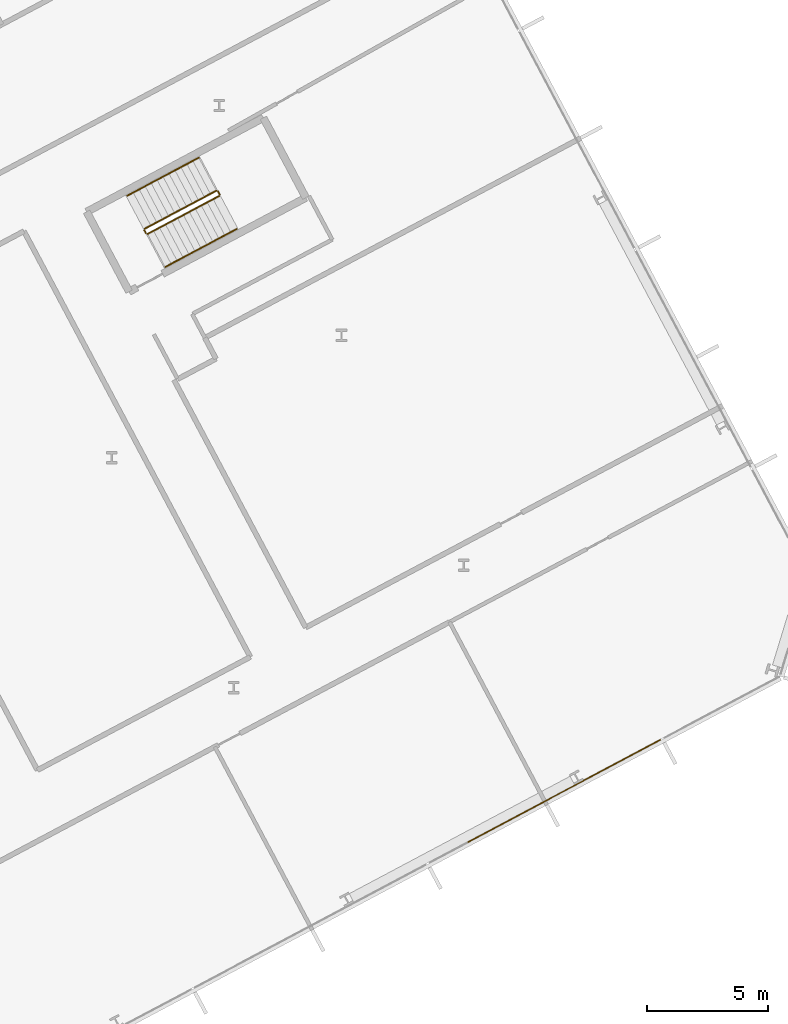
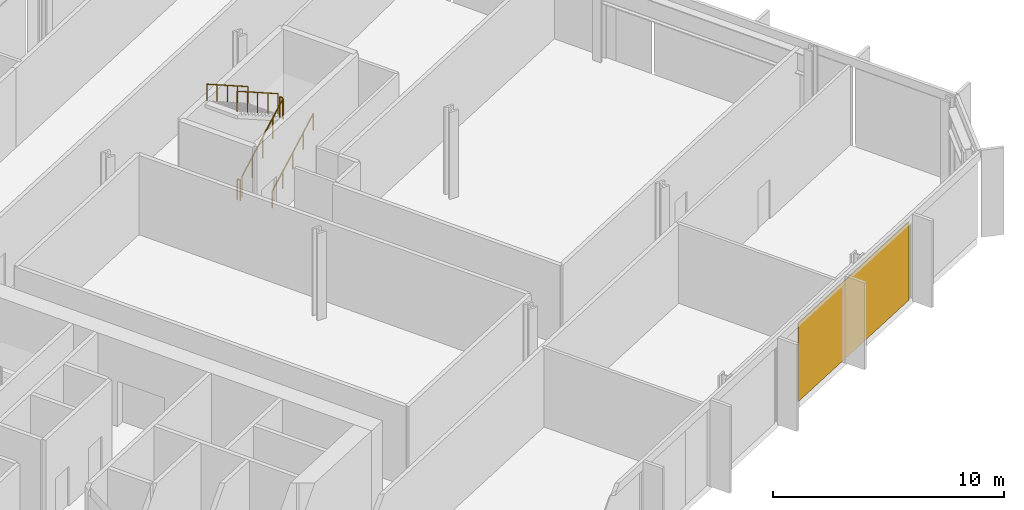
# One storey, part 30 of 31: 6 railings, 1 covering, 1 element without a shape of its own.
"""IFC4 building model written with IfcOpenShell, lengths in metres."""

from ifc_helpers import new_model, si_unit, direction, frame, origin, origin_2d, place, context, subcontext, project, spatial, polyline, rectangle, outline, extrude, material, layer, layer_set, type_object, element, aggregate, save


model = new_model("IFC4")

# Units and contexts
model_context = context("Model", 3, precision=1e-05, world=origin(), true_north=direction((0.0, 1.0)))
body_context = subcontext(model_context, "Body", "Model", "MODEL_VIEW")
ifc_project = project(units=[si_unit("LENGTHUNIT", "METRE"), si_unit("AREAUNIT", "SQUARE_METRE"), si_unit("VOLUMEUNIT", "CUBIC_METRE"), si_unit("PLANEANGLEUNIT", "RADIAN"), si_unit("MASSUNIT", "GRAM", prefix="KILO")], contexts=[model_context])

# Site, building, storey
site_placement = place(None, origin())
site = spatial("IfcSite", under=ifc_project, at=site_placement, CompositionType="ELEMENT")
building_placement = place(site_placement, origin())
building = spatial("IfcBuilding", under=site, at=building_placement, Name="Cormorant Relay Tower", CompositionType="ELEMENT")
storey_placement = place(building_placement, frame((0.0, 0.0, 93.800048828125)))
storey = spatial("IfcBuildingStorey", under=building, at=storey_placement, Name="L18", CompositionType="ELEMENT", Elevation=93.800048828125)

# Curtain wall, covering
ifc_material_1 = material(Name="Aluminium 6063-T6 anodised bronze", Category="aluminium")
ifc_layer_1 = layer(ifc_material_1, 0.199951171875)
ifc_layer_set_1 = layer_set([ifc_layer_1], Name="CW1 unitised bronze curtain wall with vertical fins")
curtain_wall_type = type_object("IfcCurtainWallType", Name="CW1 unitised bronze curtain wall with vertical fins", PredefinedType="NOTDEFINED", material=ifc_layer_set_1)
curtain_wall_placement = place(storey_placement, origin())
curtain_wall = element("IfcCurtainWall", 1, at=curtain_wall_placement, inside=storey, type_object=curtain_wall_type, Name="CW1 curtain wall 2", PredefinedType="NOTDEFINED")
ifc_material_2 = material(Name="Pale bronze anodised aluminium insulated panel", Category="aluminium")
ifc_layer_2 = layer(ifc_material_2, 0.0400390625)
ifc_layer_set_2 = layer_set([ifc_layer_2], Name="CW1 pale bronze insulated panel 40")
covering_type = type_object("IfcCoveringType", Name="CW1 pale bronze insulated panel 40", PredefinedType="CLADDING", material=ifc_layer_set_2)
covering_placement = place(storey_placement, frame((61.85302734375, 9.081298828125, 0.0), z_axis=(0.0, 0.0, 1.0), x_axis=(0.882947592859, 0.469471562786, 0.0)))
covering = element("IfcCovering", 2, at=covering_placement, type_object=covering_type, Name="CW1 panel S13", PredefinedType="CLADDING", context=body_context, shape_type="SweptSolid", body=[
    extrude(rectangle(XDim=9.07373046875, YDim=0.0400390625, at=origin_2d()), origin(), (0.0, 0.0, 1.0), 4.14990234375),
])
aggregate(curtain_wall, [covering])

# Railings
ifc_material_3 = material(Name="Steel ASTM A572 Grade 50 (Fy 345 MPa)", Category="steel")
railing_type_1 = type_object("IfcRailingType", Name="Stair guard 1100", PredefinedType="GUARDRAIL", material=ifc_material_3)
railing_1_placement = place(storey_placement, frame((44.583740234375, 32.186279296875, 0.1767578125)))
element("IfcRailing", 3, at=railing_1_placement, inside=storey, type_object=railing_type_1, Name="L18 RB1 stair guard 1", PredefinedType="GUARDRAIL", context=body_context, shape_type="SweptSolid", body=[
    extrude(outline(polyline([(0.022216796875, 0.00927734375), (0.00927734375, 0.022216796875), (-0.00927734375, 0.022216796875), (-0.022216796875, 0.00927734375), (-0.022216796875, -0.00927734375), (-0.00927734375, -0.022216796875), (0.00927734375, -0.022216796875), (0.022216796875, -0.00927734375), (0.022216796875, 0.00927734375)])), frame((0.0, 0.0, 1.076171875), z_axis=(0.74639798139, 0.396907814001, 0.534185586253), x_axis=(-0.469509342547, 0.882927503967, 0.0)), (0.0, 0.0, 1.0), 3.974853515625),
    extrude(outline(polyline([(0.019287109375, 0.008056640625), (0.008056640625, 0.019287109375), (-0.008056640625, 0.019287109375), (-0.019287109375, 0.008056640625), (-0.019287109375, -0.008056640625), (-0.008056640625, -0.019287109375), (0.008056640625, -0.019287109375), (0.019287109375, -0.008056640625), (0.019287109375, 0.008056640625)])), origin(), (0.0, 0.0, 1.0), 1.052001953125),
    extrude(outline(polyline([(0.019287109375, 0.008056640625), (0.008056640625, 0.019287109375), (-0.008056640625, 0.019287109375), (-0.019287109375, 0.008056640625), (-0.019287109375, -0.008056640625), (-0.008056640625, -0.019287109375), (0.008056640625, -0.019287109375), (0.019287109375, -0.008056640625), (0.019287109375, 0.008056640625)])), frame((0.74169921875, 0.39453125, 0.53076171875)), (0.0, 0.0, 1.0), 1.052001953125),
    extrude(outline(polyline([(0.019287109375, 0.008056640625), (0.008056640625, 0.019287109375), (-0.008056640625, 0.019287109375), (-0.019287109375, 0.008056640625), (-0.019287109375, -0.008056640625), (-0.008056640625, -0.019287109375), (0.008056640625, -0.019287109375), (0.019287109375, -0.008056640625), (0.019287109375, 0.008056640625)])), frame((1.4833984375, 0.788818359375, 1.0615234375)), (0.0, 0.0, 1.0), 1.052001953125),
    extrude(outline(polyline([(0.019287109375, 0.008056640625), (0.008056640625, 0.019287109375), (-0.008056640625, 0.019287109375), (-0.019287109375, 0.008056640625), (-0.019287109375, -0.008056640625), (-0.008056640625, -0.019287109375), (0.008056640625, -0.019287109375), (0.019287109375, -0.008056640625), (0.019287109375, 0.008056640625)])), frame((2.22509765625, 1.18310546875, 1.592529296875)), (0.0, 0.0, 1.0), 1.052001953125),
    extrude(outline(polyline([(0.019287109375, 0.008056640625), (0.008056640625, 0.019287109375), (-0.008056640625, 0.019287109375), (-0.019287109375, 0.008056640625), (-0.019287109375, -0.008056640625), (-0.008056640625, -0.019287109375), (0.008056640625, -0.019287109375), (0.019287109375, -0.008056640625), (0.019287109375, 0.008056640625)])), frame((2.966796875, 1.57763671875, 2.123291015625)), (0.0, 0.0, 1.0), 1.052001953125),
])
railing_2_placement = place(storey_placement, frame((47.571044921875, 33.831298828125, 2.300048828125)))
element("IfcRailing", 4, at=railing_2_placement, inside=storey, type_object=railing_type_1, Name="L18 RB1 stair guard 2", PredefinedType="GUARDRAIL", context=body_context, shape_type="SweptSolid", body=[
    extrude(outline(polyline([(0.022216796875, 0.00927734375), (0.00927734375, 0.022216796875), (-0.00927734375, 0.022216796875), (-0.022216796875, 0.00927734375), (-0.022216796875, -0.00927734375), (-0.00927734375, -0.022216796875), (0.00927734375, -0.022216796875), (0.022216796875, -0.00927734375), (0.022216796875, 0.00927734375)])), frame((0.0, 0.0, 1.076171875), z_axis=(-0.46856034887, 0.8834314911, 0.0), x_axis=(-0.8834314911, -0.46856034887, 0.0)), (0.0, 0.0, 1.0), 0.150146484375),
    extrude(outline(polyline([(0.019287109375, 0.008056640625), (0.008056640625, 0.019287109375), (-0.008056640625, 0.019287109375), (-0.019287109375, 0.008056640625), (-0.019287109375, -0.008056640625), (-0.008056640625, -0.019287109375), (0.008056640625, -0.019287109375), (0.019287109375, -0.008056640625), (0.019287109375, 0.008056640625)])), origin(), (0.0, 0.0, 1.0), 1.052001953125),
    extrude(outline(polyline([(0.019287109375, 0.008056640625), (0.008056640625, 0.019287109375), (-0.008056640625, 0.019287109375), (-0.019287109375, 0.008056640625), (-0.019287109375, -0.008056640625), (-0.008056640625, -0.019287109375), (0.008056640625, -0.019287109375), (0.019287109375, -0.008056640625), (0.019287109375, 0.008056640625)])), frame((-0.0703125, 0.132568359375, 0.0)), (0.0, 0.0, 1.0), 1.052001953125),
])
railing_3_placement = place(storey_placement, frame((47.43310546875, 33.984619140625, 2.476806640625)))
element("IfcRailing", 5, at=railing_3_placement, inside=storey, type_object=railing_type_1, Name="L18 RB1 stair guard 3", PredefinedType="GUARDRAIL", context=body_context, shape_type="SweptSolid", body=[
    extrude(outline(polyline([(0.022216796875, 0.00927734375), (0.00927734375, 0.022216796875), (-0.00927734375, 0.022216796875), (-0.022216796875, 0.00927734375), (-0.022216796875, -0.00927734375), (-0.00927734375, -0.022216796875), (0.00927734375, -0.022216796875), (0.022216796875, -0.00927734375), (0.022216796875, 0.00927734375)])), frame((0.0, 0.0, 1.076171875), z_axis=(-0.746440668329, -0.396869088057, 0.534154711306), x_axis=(0.46945269911, -0.882957622595, 0.0)), (0.0, 0.0, 1.0), 3.974609375),
    extrude(outline(polyline([(0.019287109375, 0.008056640625), (0.008056640625, 0.019287109375), (-0.008056640625, 0.019287109375), (-0.019287109375, 0.008056640625), (-0.019287109375, -0.008056640625), (-0.008056640625, -0.019287109375), (0.008056640625, -0.019287109375), (0.019287109375, -0.008056640625), (0.019287109375, 0.008056640625)])), origin(), (0.0, 0.0, 1.0), 1.052001953125),
    extrude(outline(polyline([(0.019287109375, 0.008056640625), (0.008056640625, 0.019287109375), (-0.008056640625, 0.019287109375), (-0.019287109375, 0.008056640625), (-0.019287109375, -0.008056640625), (-0.008056640625, -0.019287109375), (0.008056640625, -0.019287109375), (0.019287109375, -0.008056640625), (0.019287109375, 0.008056640625)])), frame((-0.74169921875, -0.394287109375, 0.53076171875)), (0.0, 0.0, 1.0), 1.052001953125),
    extrude(outline(polyline([(0.019287109375, 0.008056640625), (0.008056640625, 0.019287109375), (-0.008056640625, 0.019287109375), (-0.019287109375, 0.008056640625), (-0.019287109375, -0.008056640625), (-0.008056640625, -0.019287109375), (0.008056640625, -0.019287109375), (0.019287109375, -0.008056640625), (0.019287109375, 0.008056640625)])), frame((-1.4833984375, -0.78857421875, 1.0615234375)), (0.0, 0.0, 1.0), 1.052001953125),
    extrude(outline(polyline([(0.019287109375, 0.008056640625), (0.008056640625, 0.019287109375), (-0.008056640625, 0.019287109375), (-0.019287109375, 0.008056640625), (-0.019287109375, -0.008056640625), (-0.008056640625, -0.019287109375), (0.008056640625, -0.019287109375), (0.019287109375, -0.008056640625), (0.019287109375, 0.008056640625)])), frame((-2.22509765625, -1.18310546875, 1.59228515625)), (0.0, 0.0, 1.0), 1.052001953125),
    extrude(outline(polyline([(0.019287109375, 0.008056640625), (0.008056640625, 0.019287109375), (-0.008056640625, 0.019287109375), (-0.019287109375, 0.008056640625), (-0.019287109375, -0.008056640625), (-0.008056640625, -0.019287109375), (0.008056640625, -0.019287109375), (0.019287109375, -0.008056640625), (0.019287109375, 0.008056640625)])), frame((-2.966796875, -1.577392578125, 2.123046875)), (0.0, 0.0, 1.0), 1.052001953125),
])
railing_4_placement = place(storey_placement, frame((44.51611328125, 32.20703125, 0.0)))
element("IfcRailing", 6, at=railing_4_placement, inside=storey, type_object=railing_type_1, Name="L18 RB1 stair guard 4", PredefinedType="GUARDRAIL", context=body_context, shape_type="SweptSolid", body=[
    extrude(outline(polyline([(0.022216796875, 0.00927734375), (0.00927734375, 0.022216796875), (-0.00927734375, 0.022216796875), (-0.022216796875, 0.00927734375), (-0.022216796875, -0.00927734375), (-0.00927734375, -0.022216796875), (0.00927734375, -0.022216796875), (0.022216796875, -0.00927734375), (0.022216796875, 0.00927734375)])), frame((0.0, 0.0, 1.076171875), z_axis=(-0.46856034887, 0.8834314911, 0.0), x_axis=(-0.8834314911, -0.46856034887, 0.0)), (0.0, 0.0, 1.0), 0.150146484375),
    extrude(outline(polyline([(0.019287109375, 0.008056640625), (0.008056640625, 0.019287109375), (-0.008056640625, 0.019287109375), (-0.019287109375, 0.008056640625), (-0.019287109375, -0.008056640625), (-0.008056640625, -0.019287109375), (0.008056640625, -0.019287109375), (0.019287109375, -0.008056640625), (0.019287109375, 0.008056640625)])), origin(), (0.0, 0.0, 1.0), 1.052001953125),
    extrude(outline(polyline([(0.019287109375, 0.008056640625), (0.008056640625, 0.019287109375), (-0.008056640625, 0.019287109375), (-0.019287109375, 0.008056640625), (-0.019287109375, -0.008056640625), (-0.008056640625, -0.019287109375), (0.008056640625, -0.019287109375), (0.019287109375, -0.008056640625), (0.019287109375, 0.008056640625)])), frame((-0.0703125, 0.132568359375, 0.0)), (0.0, 0.0, 1.0), 1.052001953125),
])
ifc_material_4 = material(Name="Steel ASTM A572 Grade 50 (Fy 345 MPa)", Category="steel")
railing_type_2 = type_object("IfcRailingType", Name="Stair handrail 900", PredefinedType="HANDRAIL", material=ifc_material_4)
railing_5_placement = place(storey_placement, frame((45.3115234375, 30.81787109375, 0.1767578125)))
element("IfcRailing", 7, at=railing_5_placement, inside=storey, type_object=railing_type_2, Name="L18 RB1 stair handrail 1", PredefinedType="HANDRAIL", context=body_context, shape_type="SweptSolid", body=[
    extrude(outline(polyline([(0.022216796875, 0.00927734375), (0.00927734375, 0.022216796875), (-0.00927734375, 0.022216796875), (-0.022216796875, 0.00927734375), (-0.022216796875, -0.00927734375), (-0.00927734375, -0.022216796875), (0.00927734375, -0.022216796875), (0.022216796875, -0.00927734375), (0.022216796875, 0.00927734375)])), frame((0.0, 0.0, 0.8759765625), z_axis=(0.746388972956, 0.396874261729, 0.534223100798), x_axis=(-0.469482818608, 0.88294160794, 0.0)), (0.0, 0.0, 1.0), 3.974609375),
    extrude(outline(polyline([(0.019287109375, 0.008056640625), (0.008056640625, 0.019287109375), (-0.008056640625, 0.019287109375), (-0.019287109375, 0.008056640625), (-0.019287109375, -0.008056640625), (-0.008056640625, -0.019287109375), (0.008056640625, -0.019287109375), (0.019287109375, -0.008056640625), (0.019287109375, 0.008056640625)])), origin(), (0.0, 0.0, 1.0), 0.851806640625),
    extrude(outline(polyline([(0.019287109375, 0.008056640625), (0.008056640625, 0.019287109375), (-0.008056640625, 0.019287109375), (-0.019287109375, 0.008056640625), (-0.019287109375, -0.008056640625), (-0.008056640625, -0.019287109375), (0.008056640625, -0.019287109375), (0.019287109375, -0.008056640625), (0.019287109375, 0.008056640625)])), frame((0.74169921875, 0.394287109375, 0.53076171875)), (0.0, 0.0, 1.0), 0.851806640625),
    extrude(outline(polyline([(0.019287109375, 0.008056640625), (0.008056640625, 0.019287109375), (-0.008056640625, 0.019287109375), (-0.019287109375, 0.008056640625), (-0.019287109375, -0.008056640625), (-0.008056640625, -0.019287109375), (0.008056640625, -0.019287109375), (0.019287109375, -0.008056640625), (0.019287109375, 0.008056640625)])), frame((1.4833984375, 0.78857421875, 1.0615234375)), (0.0, 0.0, 1.0), 0.851806640625),
    extrude(outline(polyline([(0.019287109375, 0.008056640625), (0.008056640625, 0.019287109375), (-0.008056640625, 0.019287109375), (-0.019287109375, 0.008056640625), (-0.019287109375, -0.008056640625), (-0.008056640625, -0.019287109375), (0.008056640625, -0.019287109375), (0.019287109375, -0.008056640625), (0.019287109375, 0.008056640625)])), frame((2.224853515625, 1.18310546875, 1.592529296875)), (0.0, 0.0, 1.0), 0.851806640625),
    extrude(outline(polyline([(0.019287109375, 0.008056640625), (0.008056640625, 0.019287109375), (-0.008056640625, 0.019287109375), (-0.019287109375, 0.008056640625), (-0.019287109375, -0.008056640625), (-0.008056640625, -0.019287109375), (0.008056640625, -0.019287109375), (0.019287109375, -0.008056640625), (0.019287109375, 0.008056640625)])), frame((2.966552734375, 1.577392578125, 2.123291015625)), (0.0, 0.0, 1.0), 0.851806640625),
])
railing_6_placement = place(storey_placement, frame((46.705322265625, 35.35302734375, 2.476806640625)))
element("IfcRailing", 8, at=railing_6_placement, inside=storey, type_object=railing_type_2, Name="L18 RB1 stair handrail 2", PredefinedType="HANDRAIL", context=body_context, shape_type="SweptSolid", body=[
    extrude(outline(polyline([(0.022216796875, 0.00927734375), (0.00927734375, 0.022216796875), (-0.00927734375, 0.022216796875), (-0.022216796875, 0.00927734375), (-0.022216796875, -0.00927734375), (-0.00927734375, -0.022216796875), (0.00927734375, -0.022216796875), (0.022216796875, -0.00927734375), (0.022216796875, 0.00927734375)])), frame((0.0, 0.0, 0.8759765625), z_axis=(-0.746413465702, -0.396887285154, 0.534179203172), x_axis=(0.469482818608, -0.88294160794, 0.0)), (0.0, 0.0, 1.0), 3.974365234375),
    extrude(outline(polyline([(0.019287109375, 0.008056640625), (0.008056640625, 0.019287109375), (-0.008056640625, 0.019287109375), (-0.019287109375, 0.008056640625), (-0.019287109375, -0.008056640625), (-0.008056640625, -0.019287109375), (0.008056640625, -0.019287109375), (0.019287109375, -0.008056640625), (0.019287109375, 0.008056640625)])), origin(), (0.0, 0.0, 1.0), 0.851806640625),
    extrude(outline(polyline([(0.019287109375, 0.008056640625), (0.008056640625, 0.019287109375), (-0.008056640625, 0.019287109375), (-0.019287109375, 0.008056640625), (-0.019287109375, -0.008056640625), (-0.008056640625, -0.019287109375), (0.008056640625, -0.019287109375), (0.019287109375, -0.008056640625), (0.019287109375, 0.008056640625)])), frame((-0.74169921875, -0.394287109375, 0.53076171875)), (0.0, 0.0, 1.0), 0.851806640625),
    extrude(outline(polyline([(0.019287109375, 0.008056640625), (0.008056640625, 0.019287109375), (-0.008056640625, 0.019287109375), (-0.019287109375, 0.008056640625), (-0.019287109375, -0.008056640625), (-0.008056640625, -0.019287109375), (0.008056640625, -0.019287109375), (0.019287109375, -0.008056640625), (0.019287109375, 0.008056640625)])), frame((-1.4833984375, -0.78857421875, 1.0615234375)), (0.0, 0.0, 1.0), 0.851806640625),
    extrude(outline(polyline([(0.019287109375, 0.008056640625), (0.008056640625, 0.019287109375), (-0.008056640625, 0.019287109375), (-0.019287109375, 0.008056640625), (-0.019287109375, -0.008056640625), (-0.008056640625, -0.019287109375), (0.008056640625, -0.019287109375), (0.019287109375, -0.008056640625), (0.019287109375, 0.008056640625)])), frame((-2.224853515625, -1.18310546875, 1.59228515625)), (0.0, 0.0, 1.0), 0.851806640625),
    extrude(outline(polyline([(0.019287109375, 0.008056640625), (0.008056640625, 0.019287109375), (-0.008056640625, 0.019287109375), (-0.019287109375, 0.008056640625), (-0.019287109375, -0.008056640625), (-0.008056640625, -0.019287109375), (0.008056640625, -0.019287109375), (0.019287109375, -0.008056640625), (0.019287109375, 0.008056640625)])), frame((-2.966552734375, -1.577392578125, 2.123046875)), (0.0, 0.0, 1.0), 0.851806640625),
])

save(model, "model.ifc")
